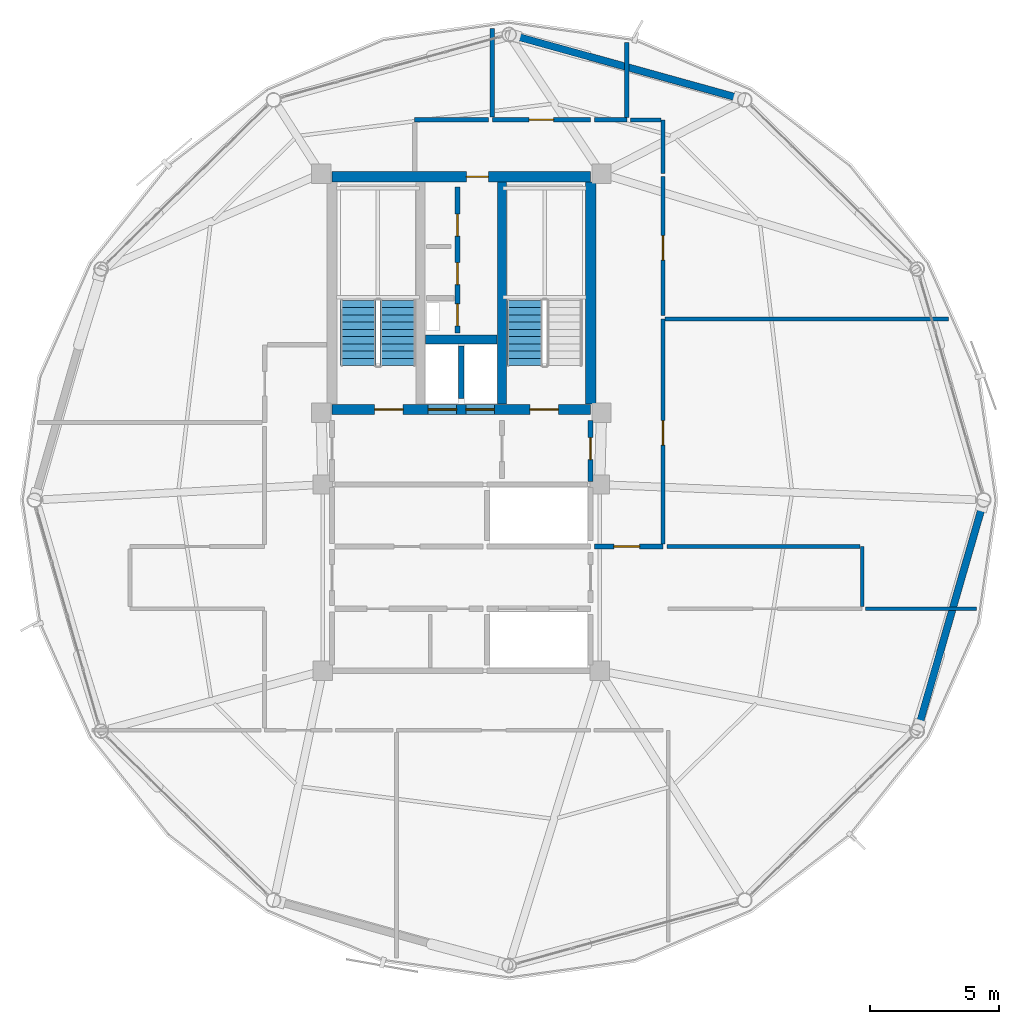
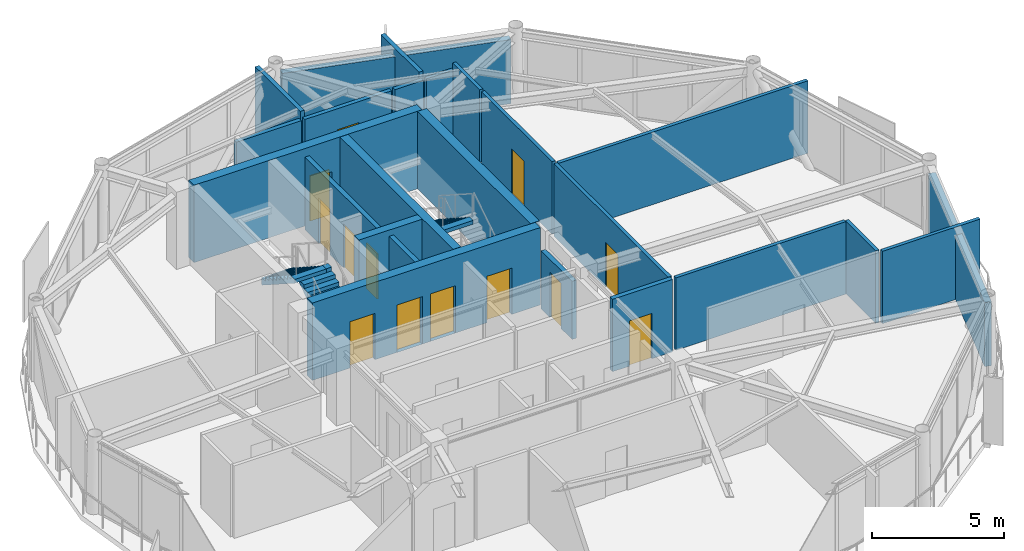
# One storey, part 22 of 26: 24 walls, 13 doors, 3 stair flights, 13 openings, 2 elements without a shape of their own.
"""IFC4 building model written with IfcOpenShell, lengths in metres."""

from ifc_helpers import new_model, si_unit, direction, frame, frame_2d, origin, place, context, subcontext, project, spatial, polyline, rectangle, outline, extrude, material, layer, layer_set, type_object, element, fill, aggregate, save


model = new_model("IFC4")

# Units and contexts
model_context = context("Model", 3, precision=1e-05, world=origin(), true_north=direction((0.0, 1.0)))
body_context = subcontext(model_context, "Body", "Model", "MODEL_VIEW")
ifc_project = project(units=[si_unit("LENGTHUNIT", "METRE"), si_unit("AREAUNIT", "SQUARE_METRE"), si_unit("VOLUMEUNIT", "CUBIC_METRE"), si_unit("PLANEANGLEUNIT", "RADIAN"), si_unit("MASSUNIT", "GRAM", prefix="KILO")], contexts=[model_context])

# Site, building, storey
site_placement = place(None, origin())
site = spatial("IfcSite", under=ifc_project, at=site_placement, CompositionType="ELEMENT")
building_placement = place(site_placement, origin())
building = spatial("IfcBuilding", under=site, at=building_placement, Name="Varnakorn Sky Granary", CompositionType="ELEMENT")
storey_placement = place(building_placement, frame((0.0, 0.0, 256.199951171875)))
storey = spatial("IfcBuildingStorey", under=building, at=storey_placement, Name="L65", CompositionType="ELEMENT", Elevation=256.199951171875)

# Walls
ifc_material_1 = material(Name="Concrete C50/60", Category="concrete")
ifc_layer_1 = layer(ifc_material_1, 0.35009765625, Name="Concrete C50/60")
ifc_layer_set_1 = layer_set([ifc_layer_1], Name="Concrete C50/60")
wall_type_1 = type_object("IfcWallType", Name="WT-CW-INT-350", PredefinedType="SHEAR", material=ifc_layer_set_1)
wall_1_placement = place(storey_placement, frame((4.580078125, 3.7099609375, 0.0), z_axis=(0.0, 0.0, 1.0), x_axis=(0.0, 1.0, 0.0)))
element("IfcWall", 1, at=wall_1_placement, inside=storey, type_object=wall_type_1, Name="Stair ST-2 Core Wall L65", PredefinedType="SHEAR", context=body_context, shape_type="SweptSolid", body=[
    extrude(rectangle(XDim=8.580078125, YDim=0.35009765625, at=frame_2d((4.2900390625, 0.0))), origin(), (0.0, 0.0, 1.0), 3.592041015625),
])
wall_2_placement = place(storey_placement, frame((1.610107421875, 6.199951171875, 0.0), z_axis=(0.0, 0.0, 1.0), x_axis=(1.0, 0.0, 0.0)))
element("IfcWall", 2, at=wall_2_placement, inside=storey, type_object=wall_type_1, Name="Core Lift Shaft Cross Wall L65", PredefinedType="SHEAR", context=body_context, shape_type="SweptSolid", body=[
    extrude(rectangle(XDim=2.77978515625, YDim=0.35009765625, at=frame_2d((1.389892578125, 0.0))), origin(), (0.0, 0.0, 1.0), 3.592041015625),
])

# Wall, openings, doors
ifc_layer_2 = layer(ifc_material_1, 0.39990234375, Name="Concrete C50/60")
ifc_layer_set_2 = layer_set([ifc_layer_2], Name="Concrete C50/60")
wall_type_2 = type_object("IfcWallType", Name="WT-CW-SHEAR-400", PredefinedType="SHEAR", material=ifc_layer_set_2)
wall_3_placement = place(storey_placement, frame((-2.0, 3.5, 0.0), z_axis=(0.0, 0.0, 1.0), x_axis=(1.0, 0.0, 0.0)))
wall_3 = element("IfcWall", 3, at=wall_3_placement, inside=storey, type_object=wall_type_2, Name="Core South Shear Wall L65", PredefinedType="SHEAR", context=body_context, shape_type="SweptSolid", body=[
    extrude(rectangle(XDim=10.0, YDim=0.39990234375, at=frame_2d((5.0, 0.0))), origin(), (0.0, 0.0, 1.0), 3.592041015625),
])
opening_1_placement = place(wall_3_placement, frame((1.64990234375, 0.0, 0.0)))
opening_1 = element("IfcOpeningElement", 4, at=opening_1_placement, cuts=wall_3, Name="Opening FD-90", PredefinedType="OPENING", context=body_context, shape_type="SweptSolid", body=[
    extrude(rectangle(XDim=1.10009765625, YDim=2.14990234375, at=frame_2d((0.550048828125, 1.074951171875))), frame((0.0, 0.2099609375, 0.0), z_axis=(0.0, -1.0, 0.0), x_axis=(1.0, 0.0, 0.0)), (0.0, 0.0, 1.0), 0.419921875),
])
opening_2_placement = place(wall_3_placement, frame((7.64990234375, 0.0, 0.0)))
opening_2 = element("IfcOpeningElement", 5, at=opening_2_placement, cuts=wall_3, Name="Opening FD-90", PredefinedType="OPENING", context=body_context, shape_type="SweptSolid", body=[
    extrude(rectangle(XDim=1.10009765625, YDim=2.14990234375, at=frame_2d((0.550048828125, 1.074951171875))), frame((0.0, 0.2099609375, 0.0), z_axis=(0.0, -1.0, 0.0), x_axis=(1.0, 0.0, 0.0)), (0.0, 0.0, 1.0), 0.419921875),
])
opening_3_placement = place(wall_3_placement, frame((3.719970703125, 0.0, 0.0)))
opening_3 = element("IfcOpeningElement", 6, at=opening_3_placement, cuts=wall_3, Name="Opening LD-01", PredefinedType="OPENING", context=body_context, shape_type="SweptSolid", body=[
    extrude(rectangle(XDim=1.10009765625, YDim=2.199951171875, at=frame_2d((0.550048828125, 1.10009765625))), frame((0.0, 0.2099609375, 0.0), z_axis=(0.0, -1.0, 0.0), x_axis=(1.0, 0.0, 0.0)), (0.0, 0.0, 1.0), 0.419921875),
])
opening_4_placement = place(wall_3_placement, frame((5.179931640625, 0.0, 0.0)))
opening_4 = element("IfcOpeningElement", 7, at=opening_4_placement, cuts=wall_3, Name="Opening LD-01", PredefinedType="OPENING", context=body_context, shape_type="SweptSolid", body=[
    extrude(rectangle(XDim=1.10009765625, YDim=2.199951171875, at=frame_2d((0.550048828125, 1.10009765625))), frame((0.0, 0.2099609375, 0.0), z_axis=(0.0, -1.0, 0.0), x_axis=(1.0, 0.0, 0.0)), (0.0, 0.0, 1.0), 0.419921875),
])
ifc_material_2 = material(Name="Brushed Bronze Stainless Steel", Category="steel")
door_type_1 = type_object("IfcDoorType", Name="DR-LD-1100", OperationType="DOUBLE_DOOR_SLIDING", PredefinedType="DOOR", material=ifc_material_2)
door_1_placement = place(opening_3_placement, origin())
door_1 = element("IfcDoor", 8, at=door_1_placement, inside=storey, type_object=door_type_1, Name="Firefighting Lift FFL-1 Landing Door L65", OperationType="DOUBLE_DOOR_SLIDING", OverallHeight=2.199951171875, OverallWidth=1.10009765625, PredefinedType="DOOR", context=body_context, shape_type="SweptSolid", body=[
    extrude(rectangle(XDim=1.10009765625, YDim=2.199951171875, at=frame_2d((0.550048828125, 1.10009765625))), frame((0.0, 0.02490234375, 0.0), z_axis=(0.0, -1.0, 0.0), x_axis=(1.0, 0.0, 0.0)), (0.0, 0.0, 1.0), 0.050048828125),
])
fill(opening_3, door_1)
door_2_placement = place(opening_4_placement, origin())
door_2 = element("IfcDoor", 9, at=door_2_placement, inside=storey, type_object=door_type_1, Name="Firefighting Lift FFL-2 Landing Door L65", OperationType="DOUBLE_DOOR_SLIDING", OverallHeight=2.199951171875, OverallWidth=1.10009765625, PredefinedType="DOOR", context=body_context, shape_type="SweptSolid", body=[
    extrude(rectangle(XDim=1.10009765625, YDim=2.199951171875, at=frame_2d((0.550048828125, 1.10009765625))), frame((0.0, 0.02490234375, 0.0), z_axis=(0.0, -1.0, 0.0), x_axis=(1.0, 0.0, 0.0)), (0.0, 0.0, 1.0), 0.050048828125),
])
fill(opening_4, door_2)
ifc_material_3 = material(Name="Galvanised Painted Steel Leaf", Category="steel")
door_type_2 = type_object("IfcDoorType", Name="DR-STAIR-1100", OperationType="NOTDEFINED", PredefinedType="DOOR", material=ifc_material_3)
door_3_placement = place(opening_1_placement, origin())
door_3 = element("IfcDoor", 10, at=door_3_placement, inside=storey, type_object=door_type_2, Name="Stair ST-1 Protected Fire Door L65", OperationType="SINGLE_SWING_LEFT", OverallHeight=2.14990234375, OverallWidth=1.10009765625, PredefinedType="DOOR", context=body_context, shape_type="SweptSolid", body=[
    extrude(rectangle(XDim=1.10009765625, YDim=2.14990234375, at=frame_2d((0.550048828125, 1.074951171875))), frame((0.0, 0.02490234375, 0.0), z_axis=(0.0, -1.0, 0.0), x_axis=(1.0, 0.0, 0.0)), (0.0, 0.0, 1.0), 0.050048828125),
])
fill(opening_1, door_3)
door_4_placement = place(opening_2_placement, origin())
door_4 = element("IfcDoor", 11, at=door_4_placement, inside=storey, type_object=door_type_2, Name="Stair ST-2 Protected Fire Door L65", OperationType="SINGLE_SWING_RIGHT", OverallHeight=2.14990234375, OverallWidth=1.10009765625, PredefinedType="DOOR", context=body_context, shape_type="SweptSolid", body=[
    extrude(rectangle(XDim=1.10009765625, YDim=2.14990234375, at=frame_2d((0.550048828125, 1.074951171875))), frame((0.0, 0.02490234375, 0.0), z_axis=(0.0, -1.0, 0.0), x_axis=(1.0, 0.0, 0.0)), (0.0, 0.0, 1.0), 0.050048828125),
])
fill(opening_2, door_4)

# Wall, opening, door
wall_4_placement = place(storey_placement, frame((-2.0, 12.5, 0.0), z_axis=(0.0, 0.0, 1.0), x_axis=(1.0, 0.0, 0.0)))
wall_4 = element("IfcWall", 12, at=wall_4_placement, inside=storey, type_object=wall_type_2, Name="Core North Shear Wall L65", PredefinedType="SHEAR", context=body_context, shape_type="SweptSolid", body=[
    extrude(rectangle(XDim=10.0, YDim=0.39990234375, at=frame_2d((5.0, 0.0))), origin(), (0.0, 0.0, 1.0), 3.592041015625),
])
opening_5_placement = place(wall_4_placement, frame((5.199951171875, 0.0, 0.0)))
opening_5 = element("IfcOpeningElement", 13, at=opening_5_placement, cuts=wall_4, Name="Opening FD-60N", PredefinedType="OPENING", context=body_context, shape_type="SweptSolid", body=[
    extrude(rectangle(XDim=0.85009765625, YDim=2.10009765625, at=frame_2d((0.425048828125, 1.050048828125))), frame((0.0, 0.2099609375, 0.0), z_axis=(0.0, -1.0, 0.0), x_axis=(1.0, 0.0, 0.0)), (0.0, 0.0, 1.0), 0.419921875),
])
ifc_material_4 = material(Name="Acoustic Timber Fire Leaf", Category="wood")
door_type_3 = type_object("IfcDoorType", Name="DR-FD60-850", OperationType="NOTDEFINED", PredefinedType="DOOR", material=ifc_material_4)
door_5_placement = place(opening_5_placement, origin())
door_5 = element("IfcDoor", 14, at=door_5_placement, inside=storey, type_object=door_type_3, Name="Core North Service Door L65", OperationType="SINGLE_SWING_LEFT", OverallHeight=2.10009765625, OverallWidth=0.85009765625, PredefinedType="DOOR", context=body_context, shape_type="SweptSolid", body=[
    extrude(rectangle(XDim=0.85009765625, YDim=2.10009765625, at=frame_2d((0.425048828125, 1.050048828125))), frame((0.0, 0.02490234375, 0.0), z_axis=(0.0, -1.0, 0.0), x_axis=(1.0, 0.0, 0.0)), (0.0, 0.0, 1.0), 0.050048828125),
])
fill(opening_5, door_5)

# Walls
wall_5_placement = place(storey_placement, frame((8.0, 3.7099609375, 0.0), z_axis=(0.0, 0.0, 1.0), x_axis=(0.0, 1.0, 0.0)))
element("IfcWall", 15, at=wall_5_placement, inside=storey, type_object=wall_type_2, Name="Core East Shear Wall L65", PredefinedType="SHEAR", context=body_context, shape_type="SweptSolid", body=[
    extrude(rectangle(XDim=8.580078125, YDim=0.39990234375, at=frame_2d((4.2900390625, 0.0))), origin(), (0.0, 0.0, 1.0), 3.592041015625),
])
ifc_material_5 = material(Name="Precast concrete C40/50", Category="concrete")
ifc_layer_3 = layer(ifc_material_5, 0.280029296875, Name="Precast concrete C40/50")
ifc_layer_set_3 = layer_set([ifc_layer_3], Name="Precast concrete C40/50")
wall_type_3 = type_object("IfcWallType", Name="WT-EW-CRN-280", PredefinedType="SOLIDWALL", material=ifc_layer_set_3)
wall_6_placement = place(storey_placement, frame((5.075927734375, 17.9423828125, 0.0), z_axis=(0.0, 0.0, 1.0), x_axis=(0.963573148657, -0.267444923653, 0.0)))
element("IfcWall", 16, at=wall_6_placement, inside=storey, type_object=wall_type_3, Name="Agritech Insulated Precast Facade Wall L65-P03", PredefinedType="SOLIDWALL", context=body_context, shape_type="SweptSolid", body=[
    extrude(rectangle(XDim=8.988037109375, YDim=0.280029296875, at=frame_2d((4.494140625, 0.0))), origin(), (0.0, 0.0, 1.0), 2.969970703125),
])
wall_7_placement = place(storey_placement, frame((23.14501953125, -0.225341796875, 0.0), z_axis=(0.0, 0.0, 1.0), x_axis=(-0.277093893844, -0.960842845628, 0.0)))
element("IfcWall", 17, at=wall_7_placement, inside=storey, type_object=wall_type_3, Name="Agritech Insulated Precast Facade Wall L65-P12", PredefinedType="SOLIDWALL", context=body_context, shape_type="SweptSolid", body=[
    extrude(rectangle(XDim=8.830078125, YDim=0.280029296875, at=frame_2d((4.4150390625, 0.0))), origin(), (0.0, 0.0, 1.0), 2.969970703125),
])

# Wall, openings, doors
ifc_material_6 = material(Name="Autoclaved Aerated Concrete Blockwork", Category="masonry")
ifc_layer_4 = layer(ifc_material_6, 0.199951171875, Name="Autoclaved Aerated Concrete Blockwork")
ifc_layer_set_4 = layer_set([ifc_layer_4], Name="Autoclaved Aerated Concrete Blockwork")
wall_type_4 = type_object("IfcWallType", Name="WT-FIRE-200", PredefinedType="MOVABLE", material=ifc_layer_set_4)
wall_8_placement = place(storey_placement, frame((2.85009765625, 6.449951171875, 0.0), z_axis=(0.0, 0.0, 1.0), x_axis=(0.0, 1.0, 0.0)))
wall_8 = element("IfcWall", 18, at=wall_8_placement, inside=storey, type_object=wall_type_4, Name="Interior Partition Wall L65-011", PredefinedType="MOVABLE", context=body_context, shape_type="SweptSolid", body=[
    extrude(rectangle(XDim=5.650146484375, YDim=0.199951171875, at=frame_2d((2.8251953125, 0.0))), origin(), (0.0, 0.0, 1.0), 3.360107421875),
])
opening_6_placement = place(wall_8_placement, frame((1.8798828125, 0.0, 0.0)))
opening_6 = element("IfcOpeningElement", 19, at=opening_6_placement, cuts=wall_8, Name="Opening RD-85", PredefinedType="OPENING", context=body_context, shape_type="SweptSolid", body=[
    extrude(rectangle(XDim=0.85009765625, YDim=2.050048828125, at=frame_2d((0.425048828125, 1.02490234375))), frame((0.0, 0.10986328125, 0.0), z_axis=(0.0, -1.0, 0.0), x_axis=(1.0, 0.0, 0.0)), (0.0, 0.0, 1.0), 0.219970703125),
])
opening_7_placement = place(wall_8_placement, frame((3.75, 0.0, 0.0)))
opening_7 = element("IfcOpeningElement", 20, at=opening_7_placement, cuts=wall_8, Name="Opening FD-60N", PredefinedType="OPENING", context=body_context, shape_type="SweptSolid", body=[
    extrude(rectangle(XDim=0.85009765625, YDim=2.10009765625, at=frame_2d((0.425048828125, 1.050048828125))), frame((0.0, 0.10986328125, 0.0), z_axis=(0.0, -1.0, 0.0), x_axis=(1.0, 0.0, 0.0)), (0.0, 0.0, 1.0), 0.219970703125),
])
opening_8_placement = place(wall_8_placement, frame((0.280029296875, 0.0, 0.0)))
opening_8 = element("IfcOpeningElement", 21, at=opening_8_placement, cuts=wall_8, Name="Opening FD-60N", PredefinedType="OPENING", context=body_context, shape_type="SweptSolid", body=[
    extrude(rectangle(XDim=0.85009765625, YDim=2.10009765625, at=frame_2d((0.425048828125, 1.050048828125))), frame((0.0, 0.10986328125, 0.0), z_axis=(0.0, -1.0, 0.0), x_axis=(1.0, 0.0, 0.0)), (0.0, 0.0, 1.0), 0.219970703125),
])
door_6_placement = place(opening_7_placement, origin())
door_6 = element("IfcDoor", 22, at=door_6_placement, inside=storey, type_object=door_type_3, Name="Interior Door L65-011-2", OperationType="SINGLE_SWING_LEFT", OverallHeight=2.10009765625, OverallWidth=0.85009765625, PredefinedType="DOOR", context=body_context, shape_type="SweptSolid", body=[
    extrude(rectangle(XDim=0.85009765625, YDim=2.10009765625, at=frame_2d((0.425048828125, 1.050048828125))), frame((0.0, 0.02490234375, 0.0), z_axis=(0.0, -1.0, 0.0), x_axis=(1.0, 0.0, 0.0)), (0.0, 0.0, 1.0), 0.050048828125),
])
fill(opening_7, door_6)
door_7_placement = place(opening_8_placement, origin())
door_7 = element("IfcDoor", 23, at=door_7_placement, inside=storey, type_object=door_type_3, Name="Interior Door L65-011-3", OperationType="SINGLE_SWING_RIGHT", OverallHeight=2.10009765625, OverallWidth=0.85009765625, PredefinedType="DOOR", context=body_context, shape_type="SweptSolid", body=[
    extrude(rectangle(XDim=0.85009765625, YDim=2.10009765625, at=frame_2d((0.425048828125, 1.050048828125))), frame((0.0, 0.02490234375, 0.0), z_axis=(0.0, -1.0, 0.0), x_axis=(1.0, 0.0, 0.0)), (0.0, 0.0, 1.0), 0.050048828125),
])
fill(opening_8, door_7)
door_type_4 = type_object("IfcDoorType", Name="DR-RIS-850", OperationType="NOTDEFINED", PredefinedType="DOOR", material=ifc_material_3)
door_8_placement = place(opening_6_placement, origin())
door_8 = element("IfcDoor", 24, at=door_8_placement, inside=storey, type_object=door_type_4, Name="MEP Riser Shaft Access Door L65-011-1", OperationType="SINGLE_SWING_RIGHT", OverallHeight=2.050048828125, OverallWidth=0.85009765625, PredefinedType="DOOR", context=body_context, shape_type="SweptSolid", body=[
    extrude(rectangle(XDim=0.85009765625, YDim=2.050048828125, at=frame_2d((0.425048828125, 1.02490234375))), frame((0.0, 0.02490234375, 0.0), z_axis=(0.0, -1.0, 0.0), x_axis=(1.0, 0.0, 0.0)), (0.0, 0.0, 1.0), 0.050048828125),
])
fill(opening_6, door_8)

# Wall, opening, door
wall_9_placement = place(storey_placement, frame((8.0, 0.719970703125, 0.0), z_axis=(0.0, 0.0, 1.0), x_axis=(0.0, 1.0, 0.0)))
wall_9 = element("IfcWall", 25, at=wall_9_placement, inside=storey, type_object=wall_type_4, Name="Interior Partition Wall L65-014", PredefinedType="MOVABLE", context=body_context, shape_type="SweptSolid", body=[
    extrude(rectangle(XDim=2.35009765625, YDim=0.199951171875, at=frame_2d((1.175048828125, 0.0))), origin(), (0.0, 0.0, 1.0), 2.692138671875),
])
opening_9_placement = place(wall_9_placement, frame((0.844970703125, 0.0, 0.0)))
opening_9 = element("IfcOpeningElement", 26, at=opening_9_placement, cuts=wall_9, Name="Opening FD-60N", PredefinedType="OPENING", context=body_context, shape_type="SweptSolid", body=[
    extrude(rectangle(XDim=0.85009765625, YDim=2.10009765625, at=frame_2d((0.425048828125, 1.050048828125))), frame((0.0, 0.10986328125, 0.0), z_axis=(0.0, -1.0, 0.0), x_axis=(1.0, 0.0, 0.0)), (0.0, 0.0, 1.0), 0.219970703125),
])
door_9_placement = place(opening_9_placement, origin())
door_9 = element("IfcDoor", 27, at=door_9_placement, inside=storey, type_object=door_type_3, Name="Interior Door L65-014-1", OperationType="SINGLE_SWING_LEFT", OverallHeight=2.10009765625, OverallWidth=0.85009765625, PredefinedType="DOOR", context=body_context, shape_type="SweptSolid", body=[
    extrude(rectangle(XDim=0.85009765625, YDim=2.10009765625, at=frame_2d((0.425048828125, 1.050048828125))), frame((0.0, 0.02490234375, 0.0), z_axis=(0.0, -1.0, 0.0), x_axis=(1.0, 0.0, 0.0)), (0.0, 0.0, 1.0), 0.050048828125),
])
fill(opening_9, door_9)

wall_10_placement = place(storey_placement, frame((8.159912109375, -1.800048828125, 0.0), z_axis=(0.0, 0.0, 1.0), x_axis=(1.0, 0.0, 0.0)))
wall_10 = element("IfcWall", 28, at=wall_10_placement, inside=storey, type_object=wall_type_4, Name="Interior Partition Wall L65-019", PredefinedType="MOVABLE", context=body_context, shape_type="SweptSolid", body=[
    extrude(rectangle(XDim=2.64013671875, YDim=0.199951171875, at=frame_2d((1.320068359375, 0.0))), origin(), (0.0, 0.0, 1.0), 3.360107421875),
])
opening_10_placement = place(wall_10_placement, frame((0.739990234375, 0.0, 0.0)))
opening_10 = element("IfcOpeningElement", 29, at=opening_10_placement, cuts=wall_10, Name="Opening FD-60", PredefinedType="OPENING", context=body_context, shape_type="SweptSolid", body=[
    extrude(rectangle(XDim=1.0, YDim=2.10009765625, at=frame_2d((0.5, 1.050048828125))), frame((0.0, 0.10986328125, 0.0), z_axis=(0.0, -1.0, 0.0), x_axis=(1.0, 0.0, 0.0)), (0.0, 0.0, 1.0), 0.219970703125),
])
door_type_5 = type_object("IfcDoorType", Name="DR-FD60-1000", OperationType="NOTDEFINED", PredefinedType="DOOR", material=ifc_material_4)
door_10_placement = place(opening_10_placement, origin())
door_10 = element("IfcDoor", 30, at=door_10_placement, inside=storey, type_object=door_type_5, Name="Interior Door L65-019-1", OperationType="SINGLE_SWING_LEFT", OverallHeight=2.10009765625, OverallWidth=1.0, PredefinedType="DOOR", context=body_context, shape_type="SweptSolid", body=[
    extrude(rectangle(XDim=1.0, YDim=2.10009765625, at=frame_2d((0.5, 1.050048828125))), frame((0.0, 0.02490234375, 0.0), z_axis=(0.0, -1.0, 0.0), x_axis=(1.0, 0.0, 0.0)), (0.0, 0.0, 1.0), 0.050048828125),
])
fill(opening_10, door_10)

ifc_material_7 = material(Name="Gypsum Plasterboard on Steel Stud", Category="steel")
ifc_layer_5 = layer(ifc_material_7, 0.14990234375, Name="Gypsum Plasterboard on Steel Stud")
ifc_layer_set_5 = layer_set([ifc_layer_5], Name="Gypsum Plasterboard on Steel Stud")
wall_type_5 = type_object("IfcWallType", Name="WT-PART-150", PredefinedType="PARTITIONING", material=ifc_layer_set_5)
wall_11_placement = place(storey_placement, frame((10.800048828125, -1.68994140625, 0.0), z_axis=(0.0, 0.0, 1.0), x_axis=(0.0, 1.0, 0.0)))
wall_11 = element("IfcWall", 31, at=wall_11_placement, inside=storey, type_object=wall_type_5, Name="Interior Partition Wall L65-026", PredefinedType="PARTITIONING", context=body_context, shape_type="SweptSolid", body=[
    extrude(rectangle(XDim=8.68994140625, YDim=0.14990234375, at=frame_2d((4.344970703125, 0.0))), origin(), (0.0, 0.0, 1.0), 3.360107421875),
])
opening_11_placement = place(wall_11_placement, frame((3.81494140625, 0.0, 0.0)))
opening_11 = element("IfcOpeningElement", 32, at=opening_11_placement, cuts=wall_11, Name="Opening ID-95", PredefinedType="OPENING", context=body_context, shape_type="SweptSolid", body=[
    extrude(rectangle(XDim=0.949951171875, YDim=2.10009765625, at=frame_2d((0.47509765625, 1.050048828125))), frame((0.0, 0.0849609375, 0.0), z_axis=(0.0, -1.0, 0.0), x_axis=(1.0, 0.0, 0.0)), (0.0, 0.0, 1.0), 0.169921875),
])
ifc_material_8 = material(Name="Solid-Core Teak Veneer Leaf", Category="timber")
door_type_6 = type_object("IfcDoorType", Name="DR-INT-950", OperationType="NOTDEFINED", PredefinedType="DOOR", material=ifc_material_8)
door_11_placement = place(opening_11_placement, origin())
door_11 = element("IfcDoor", 33, at=door_11_placement, inside=storey, type_object=door_type_6, Name="Interior Door L65-026-1", OperationType="SINGLE_SWING_RIGHT", OverallHeight=2.10009765625, OverallWidth=0.949951171875, PredefinedType="DOOR", context=body_context, shape_type="SweptSolid", body=[
    extrude(rectangle(XDim=0.949951171875, YDim=2.10009765625, at=frame_2d((0.47509765625, 1.050048828125))), frame((0.0, 0.02490234375, 0.0), z_axis=(0.0, -1.0, 0.0), x_axis=(1.0, 0.0, 0.0)), (0.0, 0.0, 1.0), 0.050048828125),
])
fill(opening_11, door_11)

wall_12_placement = place(storey_placement, frame((10.800048828125, 7.135009765625, 0.0), z_axis=(0.0, 0.0, 1.0), x_axis=(0.0, 1.0, 0.0)))
wall_12 = element("IfcWall", 34, at=wall_12_placement, inside=storey, type_object=wall_type_5, Name="Interior Partition Wall L65-027", PredefinedType="PARTITIONING", context=body_context, shape_type="SweptSolid", body=[
    extrude(rectangle(XDim=5.364990234375, YDim=0.14990234375, at=frame_2d((2.6826171875, 0.0))), origin(), (0.0, 0.0, 1.0), 3.360107421875),
])
opening_12_placement = place(wall_12_placement, frame((2.139892578125, 0.0, 0.0)))
opening_12 = element("IfcOpeningElement", 35, at=opening_12_placement, cuts=wall_12, Name="Opening ID-95", PredefinedType="OPENING", context=body_context, shape_type="SweptSolid", body=[
    extrude(rectangle(XDim=0.949951171875, YDim=2.10009765625, at=frame_2d((0.47509765625, 1.050048828125))), frame((0.0, 0.0849609375, 0.0), z_axis=(0.0, -1.0, 0.0), x_axis=(1.0, 0.0, 0.0)), (0.0, 0.0, 1.0), 0.169921875),
])
door_12_placement = place(opening_12_placement, origin())
door_12 = element("IfcDoor", 36, at=door_12_placement, inside=storey, type_object=door_type_6, Name="Interior Door L65-027-1", OperationType="SINGLE_SWING_LEFT", OverallHeight=2.10009765625, OverallWidth=0.949951171875, PredefinedType="DOOR", context=body_context, shape_type="SweptSolid", body=[
    extrude(rectangle(XDim=0.949951171875, YDim=2.10009765625, at=frame_2d((0.47509765625, 1.050048828125))), frame((0.0, 0.02490234375, 0.0), z_axis=(0.0, -1.0, 0.0), x_axis=(1.0, 0.0, 0.0)), (0.0, 0.0, 1.0), 0.050048828125),
])
fill(opening_12, door_12)

# Walls
wall_13_placement = place(storey_placement, frame((18.635009765625, -4.199951171875, 0.0), z_axis=(0.0, 0.0, 1.0), x_axis=(1.0, 0.0, 0.0)))
element("IfcWall", 37, at=wall_13_placement, inside=storey, type_object=wall_type_5, Name="Interior Partition Wall L65-040", PredefinedType="PARTITIONING", context=body_context, shape_type="SweptSolid", body=[
    extrude(rectangle(XDim=4.281005859375, YDim=0.14990234375, at=frame_2d((2.140625, 0.0))), origin(), (0.0, 0.0, 1.0), 3.360107421875),
])
wall_14_placement = place(storey_placement, frame((18.5, -4.114990234375, 0.0), z_axis=(0.0, 0.0, 1.0), x_axis=(0.0, 1.0, 0.0)))
element("IfcWall", 38, at=wall_14_placement, inside=storey, type_object=wall_type_5, Name="Interior Partition Wall L65-051", PredefinedType="PARTITIONING", context=body_context, shape_type="SweptSolid", body=[
    extrude(rectangle(XDim=2.31494140625, YDim=0.14990234375, at=frame_2d((1.157470703125, 0.0))), origin(), (0.0, 0.0, 1.0), 3.360107421875),
])
wall_15_placement = place(storey_placement, frame((18.4150390625, -1.800048828125, 0.0), z_axis=(0.0, 0.0, 1.0), x_axis=(-1.0, 0.0, 0.0)))
element("IfcWall", 39, at=wall_15_placement, inside=storey, type_object=wall_type_5, Name="Interior Partition Wall L65-052", PredefinedType="PARTITIONING", context=body_context, shape_type="SweptSolid", body=[
    extrude(rectangle(XDim=7.455078125, YDim=0.14990234375, at=frame_2d((3.7275390625, 0.0))), origin(), (0.0, 0.0, 1.0), 3.360107421875),
])
wall_16_placement = place(storey_placement, frame((10.885009765625, 7.0, 0.0), z_axis=(0.0, 0.0, 1.0), x_axis=(1.0, 0.0, 0.0)))
element("IfcWall", 40, at=wall_16_placement, inside=storey, type_object=wall_type_5, Name="Interior Partition Wall L65-053", PredefinedType="PARTITIONING", context=body_context, shape_type="SweptSolid", body=[
    extrude(rectangle(XDim=10.946044921875, YDim=0.14990234375, at=frame_2d((5.47314453125, 0.0))), origin(), (0.0, 0.0, 1.0), 3.360107421875),
])
wall_17_placement = place(storey_placement, frame((10.800048828125, 12.635009765625, 0.0), z_axis=(0.0, 0.0, 1.0), x_axis=(0.0, 1.0, 0.0)))
element("IfcWall", 41, at=wall_17_placement, inside=storey, type_object=wall_type_5, Name="Interior Partition Wall L65-054", PredefinedType="PARTITIONING", context=body_context, shape_type="SweptSolid", body=[
    extrude(rectangle(XDim=2.06494140625, YDim=0.14990234375, at=frame_2d((1.032470703125, 0.0))), origin(), (0.0, 0.0, 1.0), 3.360107421875),
])
wall_18_placement = place(storey_placement, frame((10.715087890625, 14.699951171875, 0.0), z_axis=(0.0, 0.0, 1.0), x_axis=(-1.0, 0.0, 0.0)))
element("IfcWall", 42, at=wall_18_placement, inside=storey, type_object=wall_type_5, Name="Interior Partition Wall L65-055", PredefinedType="PARTITIONING", context=body_context, shape_type="SweptSolid", body=[
    extrude(rectangle(XDim=1.1650390625, YDim=0.14990234375, at=frame_2d((0.58251953125, 0.0))), origin(), (0.0, 0.0, 1.0), 3.072021484375),
])

# Wall, opening, door
ifc_material_9 = material(Name="Moisture-Resistant Gypsum on Stud", Category="gypsum")
ifc_layer_6 = layer(ifc_material_9, 0.179931640625, Name="Moisture-Resistant Gypsum on Stud")
ifc_layer_set_6 = layer_set([ifc_layer_6], Name="Moisture-Resistant Gypsum on Stud")
wall_type_6 = type_object("IfcWallType", Name="WT-PLUMB-180", PredefinedType="PLUMBINGWALL", material=ifc_layer_set_6)
wall_19_placement = place(storey_placement, frame((8.0, 14.699951171875, 0.0), z_axis=(0.0, 0.0, 1.0), x_axis=(-1.0, 0.0, 0.0)))
wall_19 = element("IfcWall", 43, at=wall_19_placement, inside=storey, type_object=wall_type_6, Name="Interior Partition Wall L65-020", PredefinedType="PLUMBINGWALL", context=body_context, shape_type="SweptSolid", body=[
    extrude(rectangle(XDim=3.800048828125, YDim=0.179931640625, at=frame_2d((1.89990234375, 0.0))), origin(), (0.0, 0.0, 1.0), 3.072021484375),
])
opening_13_placement = place(wall_19_placement, frame((1.425048828125, 0.0, 0.0)))
opening_13 = element("IfcOpeningElement", 44, at=opening_13_placement, cuts=wall_19, Name="Opening ID-95", PredefinedType="OPENING", context=body_context, shape_type="SweptSolid", body=[
    extrude(rectangle(XDim=0.949951171875, YDim=2.10009765625, at=frame_2d((0.47509765625, 1.050048828125))), frame((0.0, 0.10009765625, 0.0), z_axis=(0.0, -1.0, 0.0), x_axis=(1.0, 0.0, 0.0)), (0.0, 0.0, 1.0), 0.199951171875),
])
door_13_placement = place(opening_13_placement, origin())
door_13 = element("IfcDoor", 45, at=door_13_placement, inside=storey, type_object=door_type_6, Name="Interior Door L65-020-1", OperationType="SINGLE_SWING_RIGHT", OverallHeight=2.10009765625, OverallWidth=0.949951171875, PredefinedType="DOOR", context=body_context, shape_type="SweptSolid", body=[
    extrude(rectangle(XDim=0.949951171875, YDim=2.10009765625, at=frame_2d((0.47509765625, 1.050048828125))), frame((0.0, 0.02490234375, 0.0), z_axis=(0.0, -1.0, 0.0), x_axis=(1.0, 0.0, 0.0)), (0.0, 0.0, 1.0), 0.050048828125),
])
fill(opening_13, door_13)

# Walls
wall_20_placement = place(storey_placement, frame((9.39990234375, 14.699951171875, 0.0), z_axis=(0.0, 0.0, 1.0), x_axis=(-1.0, 0.0, 0.0)))
element("IfcWall", 46, at=wall_20_placement, inside=storey, type_object=wall_type_6, Name="Interior Partition Wall L65-034", PredefinedType="PLUMBINGWALL", context=body_context, shape_type="SweptSolid", body=[
    extrude(rectangle(XDim=1.25, YDim=0.179931640625, at=frame_2d((0.625, 0.0))), origin(), (0.0, 0.0, 1.0), 3.072021484375),
])
wall_21_placement = place(storey_placement, frame((4.050048828125, 14.699951171875, 0.0), z_axis=(0.0, 0.0, 1.0), x_axis=(-1.0, 0.0, 0.0)))
element("IfcWall", 47, at=wall_21_placement, inside=storey, type_object=wall_type_6, Name="Interior Partition Wall L65-048", PredefinedType="PLUMBINGWALL", context=body_context, shape_type="SweptSolid", body=[
    extrude(rectangle(XDim=2.85009765625, YDim=0.179931640625, at=frame_2d((1.425048828125, 0.0))), origin(), (0.0, 0.0, 1.0), 3.072021484375),
])
wall_22_placement = place(storey_placement, frame((4.199951171875, 18.22509765625, 0.0), z_axis=(0.0, 0.0, 1.0), x_axis=(0.0, -1.0, 0.0)))
element("IfcWall", 48, at=wall_22_placement, inside=storey, type_object=wall_type_6, Name="Interior Partition Wall L65-050", PredefinedType="PLUMBINGWALL", context=body_context, shape_type="SweptSolid", body=[
    extrude(rectangle(XDim=3.425048828125, YDim=0.179931640625, at=frame_2d((1.71240234375, 0.0))), origin(), (0.0, 0.0, 1.0), 3.360107421875),
])
wall_23_placement = place(storey_placement, frame((9.39990234375, 14.800048828125, 0.0), z_axis=(0.0, 0.0, 1.0), x_axis=(0.0, 1.0, 0.0)))
element("IfcWall", 49, at=wall_23_placement, inside=storey, type_object=wall_type_6, Name="Interior Partition Wall L65-056", PredefinedType="PLUMBINGWALL", context=body_context, shape_type="SweptSolid", body=[
    extrude(rectangle(XDim=2.885009765625, YDim=0.179931640625, at=frame_2d((1.4423828125, 0.0))), origin(), (0.0, 0.0, 1.0), 3.360107421875),
])
ifc_layer_7 = layer(ifc_material_6, 0.199951171875, Name="Autoclaved Aerated Concrete Blockwork")
ifc_layer_set_7 = layer_set([ifc_layer_7], Name="Autoclaved Aerated Concrete Blockwork")
wall_type_7 = type_object("IfcWallType", Name="WT-SHAFT-200", PredefinedType="SOLIDWALL", material=ifc_layer_set_7)
wall_24_placement = place(storey_placement, frame((3.0, 3.919921875, 0.0), z_axis=(0.0, 0.0, 1.0), x_axis=(0.0, 1.0, 0.0)))
element("IfcWall", 50, at=wall_24_placement, inside=storey, type_object=wall_type_7, Name="Interior Partition Wall L65-001", PredefinedType="SOLIDWALL", context=body_context, shape_type="SweptSolid", body=[
    extrude(rectangle(XDim=2.030029296875, YDim=0.199951171875, at=frame_2d((1.01513671875, 0.0))), origin(), (0.0, 0.0, 1.0), 3.360107421875),
])

# Stair, stair flights
ifc_material_10 = material(Name="Concrete C40/50", Category="concrete")
stair_type = type_object("IfcStairType", Name="ST-MAIN-ASSEMBLY", PredefinedType="HALF_TURN_STAIR", material=ifc_material_10)
stair_1_placement = place(storey_placement, origin())
stair_1 = element("IfcStair", 51, at=stair_1_placement, inside=storey, type_object=stair_type, Name="L65 Protected Exit Stair ST-1", PredefinedType="HALF_TURN_STAIR")
stair_flight_type = type_object("IfcStairFlightType", Name="ST-MAIN-FLIGHT", PredefinedType="STRAIGHT", material=ifc_material_10)
stair_flight_1_placement = place(storey_placement, frame((0.550048828125, 5.199951171875, 0.0), z_axis=(0.0, 0.0, 1.0), x_axis=(0.0, 1.0, 0.0)))
stair_flight_1 = element("IfcStairFlight", 52, at=stair_flight_1_placement, type_object=stair_flight_type, Name="ST-1 flight 1", NumberOfRisers=10, NumberOfTreads=9, PredefinedType="STRAIGHT", RiserHeight=0.18, TreadLength=0.28, context=body_context, shape_type="SweptSolid", body=[
    extrude(outline(polyline([(0.0, -0.14990234375), (0.0, 0.0), (0.0, 0.179931640625), (0.280029296875, 0.179931640625), (0.280029296875, 0.360107421875), (0.56005859375, 0.360107421875), (0.56005859375, 0.5400390625), (0.840087890625, 0.5400390625), (0.840087890625, 0.719970703125), (1.1201171875, 0.719970703125), (1.1201171875, 0.89990234375), (1.39990234375, 0.89990234375), (1.39990234375, 1.080078125), (1.679931640625, 1.080078125), (1.679931640625, 1.260009765625), (1.9599609375, 1.260009765625), (1.9599609375, 1.43994140625), (2.239990234375, 1.43994140625), (2.239990234375, 1.6201171875), (2.52001953125, 1.6201171875), (2.52001953125, 1.800048828125), (2.52001953125, 1.44189453125), (0.050048828125, -0.14990234375), (0.0, -0.14990234375)])), frame((0.0, 0.68994140625, 0.0), z_axis=(0.0, -1.0, 0.0), x_axis=(1.0, 0.0, 0.0)), (0.0, 0.0, 1.0), 1.3798828125),
])
stair_flight_2_placement = place(storey_placement, frame((-0.97998046875, 7.719970703125, 1.800048828125), z_axis=(0.0, 0.0, 1.0), x_axis=(0.0, -1.0, 0.0)))
stair_flight_2 = element("IfcStairFlight", 53, at=stair_flight_2_placement, type_object=stair_flight_type, Name="ST-1 flight 2", NumberOfRisers=10, NumberOfTreads=9, PredefinedType="STRAIGHT", RiserHeight=0.18, TreadLength=0.28, context=body_context, shape_type="SweptSolid", body=[
    extrude(outline(polyline([(0.0, -0.14990234375), (0.0, 0.0), (0.0, 0.179931640625), (0.280029296875, 0.179931640625), (0.280029296875, 0.360107421875), (0.56005859375, 0.360107421875), (0.56005859375, 0.5400390625), (0.840087890625, 0.5400390625), (0.840087890625, 0.719970703125), (1.1201171875, 0.719970703125), (1.1201171875, 0.89990234375), (1.39990234375, 0.89990234375), (1.39990234375, 1.080078125), (1.679931640625, 1.080078125), (1.679931640625, 1.260009765625), (1.9599609375, 1.260009765625), (1.9599609375, 1.43994140625), (2.239990234375, 1.43994140625), (2.239990234375, 1.6201171875), (2.52001953125, 1.6201171875), (2.52001953125, 1.800048828125), (2.52001953125, 1.44189453125), (0.050048828125, -0.14990234375), (0.0, -0.14990234375)])), frame((0.0, 0.68994140625, 0.0), z_axis=(0.0, -1.0, 0.0), x_axis=(1.0, 0.0, 0.0)), (0.0, 0.0, 1.0), 1.3798828125),
])
aggregate(stair_1, [stair_flight_1, stair_flight_2])

# Stair, stair flight
stair_2_placement = place(storey_placement, origin())
stair_2 = element("IfcStair", 54, at=stair_2_placement, inside=storey, type_object=stair_type, Name="L65 Protected Exit Stair ST-2", PredefinedType="HALF_TURN_STAIR")
stair_flight_3_placement = place(storey_placement, frame((5.4599609375, 7.719970703125, 1.800048828125), z_axis=(0.0, 0.0, 1.0), x_axis=(0.0, -1.0, 0.0)))
stair_flight_3 = element("IfcStairFlight", 55, at=stair_flight_3_placement, type_object=stair_flight_type, Name="ST-2 flight 2", NumberOfRisers=10, NumberOfTreads=9, PredefinedType="STRAIGHT", RiserHeight=0.18, TreadLength=0.28, context=body_context, shape_type="SweptSolid", body=[
    extrude(outline(polyline([(0.0, -0.14990234375), (0.0, 0.0), (0.0, 0.179931640625), (0.280029296875, 0.179931640625), (0.280029296875, 0.360107421875), (0.56005859375, 0.360107421875), (0.56005859375, 0.5400390625), (0.840087890625, 0.5400390625), (0.840087890625, 0.719970703125), (1.1201171875, 0.719970703125), (1.1201171875, 0.89990234375), (1.39990234375, 0.89990234375), (1.39990234375, 1.080078125), (1.679931640625, 1.080078125), (1.679931640625, 1.260009765625), (1.9599609375, 1.260009765625), (1.9599609375, 1.43994140625), (2.239990234375, 1.43994140625), (2.239990234375, 1.6201171875), (2.52001953125, 1.6201171875), (2.52001953125, 1.800048828125), (2.52001953125, 1.44189453125), (0.050048828125, -0.14990234375), (0.0, -0.14990234375)])), frame((0.0, 0.68994140625, 0.0), z_axis=(0.0, -1.0, 0.0), x_axis=(1.0, 0.0, 0.0)), (0.0, 0.0, 1.0), 1.3798828125),
])
aggregate(stair_2, [stair_flight_3])

save(model, "model.ifc")
